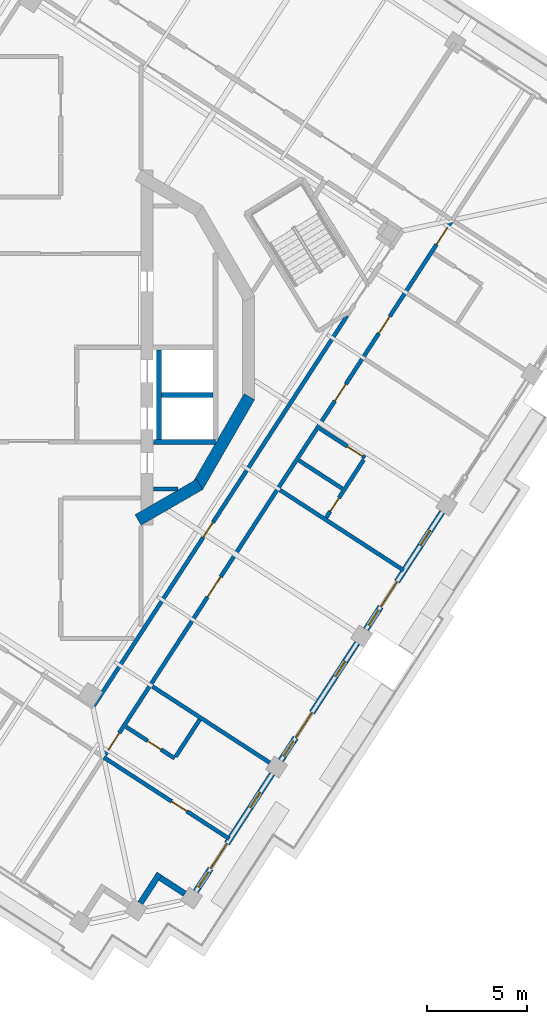
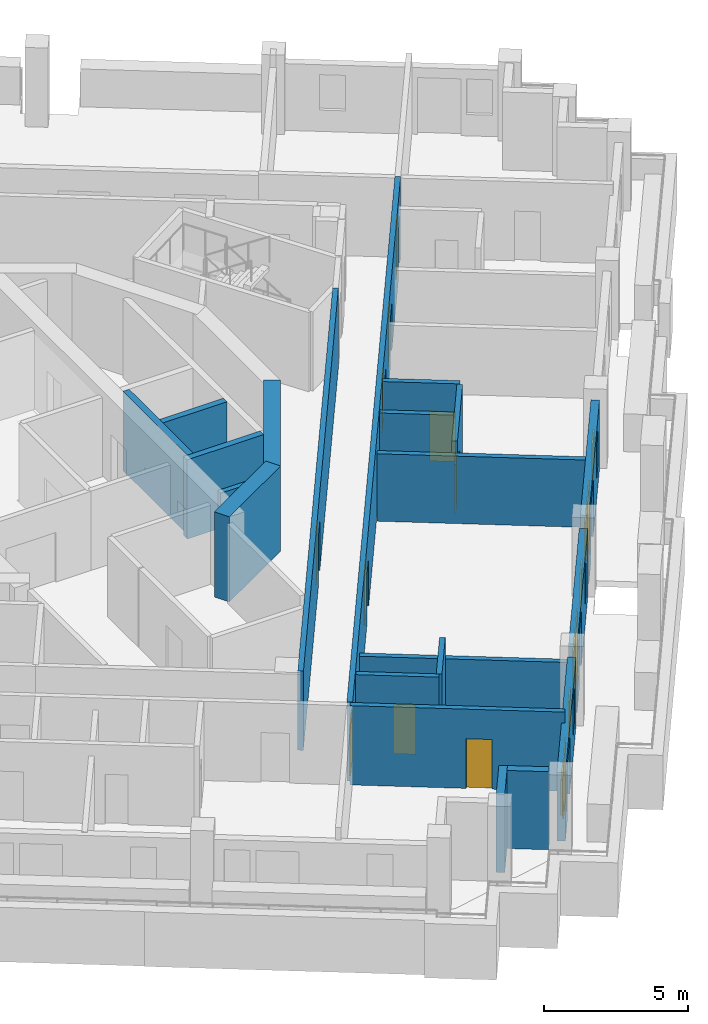
# One storey, part 6 of 15: 21 walls, 13 doors, 6 windows, 19 openings.
"""IFC4 building model written with IfcOpenShell, lengths in metres."""

from ifc_helpers import new_model, si_unit, direction, frame, frame_2d, origin, place, context, subcontext, project, spatial, rectangle, extrude, material, layer, layer_set, type_object, element, fill, save


model = new_model("IFC4")

# Units and contexts
model_context = context("Model", 3, precision=1e-05, world=origin(), true_north=direction((0.0, 1.0)))
body_context = subcontext(model_context, "Body", "Model", "MODEL_VIEW")
ifc_project = project(units=[si_unit("LENGTHUNIT", "METRE"), si_unit("AREAUNIT", "SQUARE_METRE"), si_unit("VOLUMEUNIT", "CUBIC_METRE"), si_unit("PLANEANGLEUNIT", "RADIAN"), si_unit("MASSUNIT", "GRAM", prefix="KILO")], contexts=[model_context])

# Site, building, storey
site_placement = place(None, origin())
site = spatial("IfcSite", under=ifc_project, at=site_placement, CompositionType="ELEMENT")
building_placement = place(site_placement, origin())
building = spatial("IfcBuilding", under=site, at=building_placement, Name="Cantera Rosa Tower", CompositionType="ELEMENT")
storey_placement = place(building_placement, frame((0.0, 0.0, 272.10009765625)))
storey = spatial("IfcBuildingStorey", under=building, at=storey_placement, Name="L61", CompositionType="ELEMENT", Elevation=272.10009765625)

# Wall, opening, door
ifc_material_1 = material(Name="Gypsum board partition")
ifc_layer_1 = layer(ifc_material_1, 0.199951171875)
ifc_layer_set_1 = layer_set([ifc_layer_1], Name="CORRIDOR WALL 200 H3350")
wall_type_1 = type_object("IfcWallType", Name="CORRIDOR WALL 200 H3350", PredefinedType="PARTITIONING", material=ifc_layer_set_1)
wall_1_placement = place(storey_placement, frame((1.656982421875, -17.828857421875, 0.0), z_axis=(0.0, 0.0, 1.0), x_axis=(0.544640309195, 0.838669740482, 0.0)))
wall_1 = element("IfcWall", 1, at=wall_1_placement, inside=storey, type_object=wall_type_1, Name="CORRIDOR WALL L61-063", PredefinedType="PARTITIONING", context=body_context, shape_type="SweptSolid", body=[
    extrude(rectangle(XDim=23.1552734375, YDim=0.199951171875, at=frame_2d((11.57763671875, 0.0))), origin(), (0.0, 0.0, 1.0), 3.349853515625),
])
opening_1_placement = place(wall_1_placement, frame((9.984619140625, 0.0, 0.0)))
opening_1 = element("IfcOpeningElement", 2, at=opening_1_placement, cuts=wall_1, Name="Opening L61-005", PredefinedType="OPENING", context=body_context, shape_type="SweptSolid", body=[
    extrude(rectangle(XDim=0.89990234375, YDim=2.10009765625, at=frame_2d((0.449951171875, 1.050048828125))), frame((0.0, 0.10986328125, 0.0), z_axis=(0.0, -1.0, 0.0), x_axis=(1.0, 0.0, 0.0)), (0.0, 0.0, 1.0), 0.219970703125),
])
ifc_material_2 = material(Name="Timber door leaf", Category="wood")
door_type_1 = type_object("IfcDoorType", Name="SERVICE DOOR 900x2100", OperationType="NOTDEFINED", PredefinedType="DOOR", material=ifc_material_2)
door_1_placement = place(opening_1_placement, origin())
door_1 = element("IfcDoor", 3, at=door_1_placement, inside=storey, type_object=door_type_1, Name="DOOR L61-005", OperationType="NOTDEFINED", OverallHeight=2.10009765625, OverallWidth=0.89990234375, PredefinedType="DOOR", context=body_context, shape_type="SweptSolid", body=[
    extrude(rectangle(XDim=0.89990234375, YDim=2.10009765625, at=frame_2d((0.449951171875, 1.050048828125))), frame((0.0, 0.02490234375, 0.0), z_axis=(0.0, -1.0, 0.0), x_axis=(1.0, 0.0, 0.0)), (0.0, 0.0, 1.0), 0.050048828125),
])
fill(opening_1, door_1)

# Wall, openings, doors
wall_2_placement = place(storey_placement, frame((2.197265625, -20.302001953125, 0.0), z_axis=(0.0, 0.0, 1.0), x_axis=(0.544636461061, 0.838672239485, 0.0)))
wall_2 = element("IfcWall", 4, at=wall_2_placement, inside=storey, type_object=wall_type_1, Name="CORRIDOR WALL L61-065", PredefinedType="PARTITIONING", context=body_context, shape_type="SweptSolid", body=[
    extrude(rectangle(XDim=31.780029296875, YDim=0.199951171875, at=frame_2d((15.89013671875, 0.0))), origin(), (0.0, 0.0, 1.0), 3.349853515625),
])
opening_2_placement = place(wall_2_placement, frame((9.39501953125, 0.0, 0.0)))
opening_2 = element("IfcOpeningElement", 5, at=opening_2_placement, cuts=wall_2, Name="Opening L61-040", PredefinedType="OPENING", context=body_context, shape_type="SweptSolid", body=[
    extrude(rectangle(XDim=1.199951171875, YDim=2.10009765625, at=frame_2d((0.60009765625, 1.050048828125))), frame((0.0, 0.10986328125, 0.0), z_axis=(0.0, -1.0, 0.0), x_axis=(1.0, 0.0, 0.0)), (0.0, 0.0, 1.0), 0.219970703125),
])
opening_3_placement = place(wall_2_placement, frame((21.044921875, 0.0, 0.0)))
opening_3 = element("IfcOpeningElement", 6, at=opening_3_placement, cuts=wall_2, Name="Opening L61-041", PredefinedType="OPENING", context=body_context, shape_type="SweptSolid", body=[
    extrude(rectangle(XDim=1.0, YDim=2.10009765625, at=frame_2d((0.5, 1.050048828125))), frame((0.0, 0.10986328125, 0.0), z_axis=(0.0, -1.0, 0.0), x_axis=(1.0, 0.0, 0.0)), (0.0, 0.0, 1.0), 0.219970703125),
])
opening_4_placement = place(wall_2_placement, frame((25.054931640625, 0.0, 0.0)))
opening_4 = element("IfcOpeningElement", 7, at=opening_4_placement, cuts=wall_2, Name="Opening L61-044", PredefinedType="OPENING", context=body_context, shape_type="SweptSolid", body=[
    extrude(rectangle(XDim=1.0, YDim=2.10009765625, at=frame_2d((0.5, 1.050048828125))), frame((0.0, 0.10986328125, 0.0), z_axis=(0.0, -1.0, 0.0), x_axis=(1.0, 0.0, 0.0)), (0.0, 0.0, 1.0), 0.219970703125),
])
opening_5_placement = place(wall_2_placement, frame((0.320068359375, 0.0, 0.0)))
opening_5 = element("IfcOpeningElement", 8, at=opening_5_placement, cuts=wall_2, Name="Opening L61-045", PredefinedType="OPENING", context=body_context, shape_type="SweptSolid", body=[
    extrude(rectangle(XDim=1.0, YDim=2.10009765625, at=frame_2d((0.5, 1.050048828125))), frame((0.0, 0.10986328125, 0.0), z_axis=(0.0, -1.0, 0.0), x_axis=(1.0, 0.0, 0.0)), (0.0, 0.0, 1.0), 0.219970703125),
])
opening_6_placement = place(wall_2_placement, frame((30.340087890625, 0.0, 0.0)))
opening_6 = element("IfcOpeningElement", 9, at=opening_6_placement, cuts=wall_2, Name="Opening L61-048", PredefinedType="OPENING", context=body_context, shape_type="SweptSolid", body=[
    extrude(rectangle(XDim=1.0, YDim=2.10009765625, at=frame_2d((0.5, 1.050048828125))), frame((0.0, 0.10986328125, 0.0), z_axis=(0.0, -1.0, 0.0), x_axis=(1.0, 0.0, 0.0)), (0.0, 0.0, 1.0), 0.219970703125),
])
ifc_material_3 = material(Name="Timber door leaf", Category="wood")
door_type_2 = type_object("IfcDoorType", Name="ENTRANCE DOOR 1000x2100", OperationType="NOTDEFINED", PredefinedType="DOOR", material=ifc_material_3)
door_2_placement = place(opening_3_placement, origin())
door_2 = element("IfcDoor", 10, at=door_2_placement, inside=storey, type_object=door_type_2, Name="DOOR L61-041", OperationType="NOTDEFINED", OverallHeight=2.10009765625, OverallWidth=1.0, PredefinedType="DOOR", context=body_context, shape_type="SweptSolid", body=[
    extrude(rectangle(XDim=1.0, YDim=2.10009765625, at=frame_2d((0.5, 1.050048828125))), frame((0.0, 0.02490234375, 0.0), z_axis=(0.0, -1.0, 0.0), x_axis=(1.0, 0.0, 0.0)), (0.0, 0.0, 1.0), 0.050048828125),
])
fill(opening_3, door_2)
door_3_placement = place(opening_5_placement, origin())
door_3 = element("IfcDoor", 11, at=door_3_placement, inside=storey, type_object=door_type_2, Name="DOOR L61-045", OperationType="NOTDEFINED", OverallHeight=2.10009765625, OverallWidth=1.0, PredefinedType="DOOR", context=body_context, shape_type="SweptSolid", body=[
    extrude(rectangle(XDim=1.0, YDim=2.10009765625, at=frame_2d((0.5, 1.050048828125))), frame((0.0, 0.02490234375, 0.0), z_axis=(0.0, -1.0, 0.0), x_axis=(1.0, 0.0, 0.0)), (0.0, 0.0, 1.0), 0.050048828125),
])
fill(opening_5, door_3)
door_4_placement = place(opening_6_placement, origin())
door_4 = element("IfcDoor", 12, at=door_4_placement, inside=storey, type_object=door_type_2, Name="DOOR L61-048", OperationType="NOTDEFINED", OverallHeight=2.10009765625, OverallWidth=1.0, PredefinedType="DOOR", context=body_context, shape_type="SweptSolid", body=[
    extrude(rectangle(XDim=1.0, YDim=2.10009765625, at=frame_2d((0.5, 1.050048828125))), frame((0.0, 0.02490234375, 0.0), z_axis=(0.0, -1.0, 0.0), x_axis=(1.0, 0.0, 0.0)), (0.0, 0.0, 1.0), 0.050048828125),
])
fill(opening_6, door_4)
ifc_material_4 = material(Name="Timber door leaf", Category="wood")
door_type_3 = type_object("IfcDoorType", Name="ROOM DOOR 1000x2100", OperationType="NOTDEFINED", PredefinedType="DOOR", material=ifc_material_4)
door_5_placement = place(opening_4_placement, origin())
door_5 = element("IfcDoor", 13, at=door_5_placement, inside=storey, type_object=door_type_3, Name="DOOR L61-044", OperationType="NOTDEFINED", OverallHeight=2.10009765625, OverallWidth=1.0, PredefinedType="DOOR", context=body_context, shape_type="SweptSolid", body=[
    extrude(rectangle(XDim=1.0, YDim=2.10009765625, at=frame_2d((0.5, 1.050048828125))), frame((0.0, 0.02490234375, 0.0), z_axis=(0.0, -1.0, 0.0), x_axis=(1.0, 0.0, 0.0)), (0.0, 0.0, 1.0), 0.050048828125),
])
fill(opening_4, door_5)
ifc_material_5 = material(Name="Timber door leaf", Category="wood")
door_type_4 = type_object("IfcDoorType", Name="ROOM DOOR 1200x2100", OperationType="NOTDEFINED", PredefinedType="DOOR", material=ifc_material_5)
door_6_placement = place(opening_2_placement, origin())
door_6 = element("IfcDoor", 14, at=door_6_placement, inside=storey, type_object=door_type_4, Name="DOOR L61-040", OperationType="NOTDEFINED", OverallHeight=2.10009765625, OverallWidth=1.199951171875, PredefinedType="DOOR", context=body_context, shape_type="SweptSolid", body=[
    extrude(rectangle(XDim=1.199951171875, YDim=2.10009765625, at=frame_2d((0.60009765625, 1.050048828125))), frame((0.0, 0.02490234375, 0.0), z_axis=(0.0, -1.0, 0.0), x_axis=(1.0, 0.0, 0.0)), (0.0, 0.0, 1.0), 0.050048828125),
])
fill(opening_2, door_6)

# Walls
ifc_material_6 = material(Name="Hollow clay masonry with cantera stone cladding", Category="masonry")
ifc_layer_2 = layer(ifc_material_6, 0.300048828125)
ifc_layer_set_2 = layer_set([ifc_layer_2], Name="EW-LOGGIA 300")
wall_type_2 = type_object("IfcWallType", Name="EW-LOGGIA 300", PredefinedType="SOLIDWALL", material=ifc_layer_set_2)
wall_3_placement = place(storey_placement, frame((3.966796875, -27.67529296875, 0.0), z_axis=(0.0, 0.0, 1.0), x_axis=(0.544679362749, 0.83864437743, 0.0)))
element("IfcWall", 15, at=wall_3_placement, inside=storey, type_object=wall_type_2, Name="EN-L61-W19a", PredefinedType="SOLIDWALL", context=body_context, shape_type="SweptSolid", body=[
    extrude(rectangle(XDim=1.75, YDim=0.300048828125, at=frame_2d((0.875, 0.0))), origin(), (0.0, 0.0, 1.0), 3.2998046875),
])
wall_4_placement = place(storey_placement, frame((4.964111328125, -26.415283203125, 0.0), z_axis=(0.0, 0.0, 1.0), x_axis=(0.838724343483, -0.544556218997, 0.0)))
element("IfcWall", 16, at=wall_4_placement, inside=storey, type_object=wall_type_2, Name="EN-L61-W19b", PredefinedType="SOLIDWALL", context=body_context, shape_type="SweptSolid", body=[
    extrude(rectangle(XDim=1.449951171875, YDim=0.300048828125, at=frame_2d((0.72509765625, 0.0))), origin(), (0.0, 0.0, 1.0), 3.2998046875),
])

# Wall, openings, windows, door
ifc_material_7 = material(Name="Hollow clay masonry with cantera stone cladding", Category="masonry")
ifc_layer_3 = layer(ifc_material_7, 0.300048828125)
ifc_layer_set_3 = layer_set([ifc_layer_3], Name="EW-LOGGIA 300 H2890")
wall_type_3 = type_object("IfcWallType", Name="EW-LOGGIA 300 H2890", PredefinedType="SOLIDWALL", material=ifc_layer_set_3)
wall_5_placement = place(storey_placement, frame((6.7333984375, -27.08740234375, 0.0), z_axis=(0.0, 0.0, 1.0), x_axis=(0.544651451949, 0.838662504164, 0.0)))
wall_5 = element("IfcWall", 17, at=wall_5_placement, inside=storey, type_object=wall_type_3, Name="EN-L61-W20", PredefinedType="SOLIDWALL", context=body_context, shape_type="SweptSolid", body=[
    extrude(rectangle(XDim=6.980224609375, YDim=0.300048828125, at=frame_2d((3.490234375, 0.0))), origin(), (0.0, 0.0, 1.0), 2.889892578125),
])
opening_7_placement = place(wall_5_placement, frame((0.2451171875, 0.0, 0.89990234375)))
opening_7 = element("IfcOpeningElement", 18, at=opening_7_placement, cuts=wall_5, Name="Opening L61-W34", PredefinedType="OPENING", context=body_context, shape_type="SweptSolid", body=[
    extrude(rectangle(XDim=0.89990234375, YDim=1.5, at=frame_2d((0.449951171875, 0.75))), frame((0.0, 0.159912109375, 0.0), z_axis=(0.0, -1.0, 0.0), x_axis=(1.0, 0.0, 0.0)), (0.0, 0.0, 1.0), 0.320068359375),
])
opening_8_placement = place(wall_5_placement, frame((1.344970703125, 0.0, 0.0)))
opening_8 = element("IfcOpeningElement", 19, at=opening_8_placement, cuts=wall_5, Name="Opening L61-TD35", PredefinedType="OPENING", context=body_context, shape_type="SweptSolid", body=[
    extrude(rectangle(XDim=1.5, YDim=2.39990234375, at=frame_2d((0.75, 1.199951171875))), frame((0.0, 0.159912109375, 0.0), z_axis=(0.0, -1.0, 0.0), x_axis=(1.0, 0.0, 0.0)), (0.0, 0.0, 1.0), 0.320068359375),
])
opening_9_placement = place(wall_5_placement, frame((4.985107421875, 0.0, 0.89990234375)))
opening_9 = element("IfcOpeningElement", 20, at=opening_9_placement, cuts=wall_5, Name="Opening L61-W36", PredefinedType="OPENING", context=body_context, shape_type="SweptSolid", body=[
    extrude(rectangle(XDim=0.89990234375, YDim=1.5, at=frame_2d((0.449951171875, 0.75))), frame((0.0, 0.159912109375, 0.0), z_axis=(0.0, -1.0, 0.0), x_axis=(1.0, 0.0, 0.0)), (0.0, 0.0, 1.0), 0.320068359375),
])
ifc_material_8 = material(Name="Aluminium frame with clear glass", Category="aluminium")
window_type = type_object("IfcWindowType", Name="Residential window 900x1500", PartitioningType="SINGLE_PANEL", PredefinedType="WINDOW", material=ifc_material_8)
window_1_placement = place(opening_7_placement, origin())
window_1 = element("IfcWindow", 21, at=window_1_placement, inside=storey, type_object=window_type, Name="WINDOW L61-W34", OverallHeight=1.5, OverallWidth=0.89990234375, PartitioningType="SINGLE_PANEL", PredefinedType="WINDOW", context=body_context, shape_type="SweptSolid", body=[
    extrude(rectangle(XDim=0.89990234375, YDim=1.5, at=frame_2d((0.449951171875, 0.75))), frame((0.0, 0.030029296875, 0.0), z_axis=(0.0, -1.0, 0.0), x_axis=(1.0, 0.0, 0.0)), (0.0, 0.0, 1.0), 0.06005859375),
])
fill(opening_7, window_1)
window_2_placement = place(opening_9_placement, origin())
window_2 = element("IfcWindow", 22, at=window_2_placement, inside=storey, type_object=window_type, Name="WINDOW L61-W36", OverallHeight=1.5, OverallWidth=0.89990234375, PartitioningType="SINGLE_PANEL", PredefinedType="WINDOW", context=body_context, shape_type="SweptSolid", body=[
    extrude(rectangle(XDim=0.89990234375, YDim=1.5, at=frame_2d((0.449951171875, 0.75))), frame((0.0, 0.030029296875, 0.0), z_axis=(0.0, -1.0, 0.0), x_axis=(1.0, 0.0, 0.0)), (0.0, 0.0, 1.0), 0.06005859375),
])
fill(opening_9, window_2)
ifc_material_9 = material(Name="Aluminium frame with clear glass", Category="aluminium")
door_type_5 = type_object("IfcDoorType", Name="TD-R 1500x2400", OperationType="NOTDEFINED", PredefinedType="DOOR", material=ifc_material_9)
door_7_placement = place(opening_8_placement, origin())
door_7 = element("IfcDoor", 23, at=door_7_placement, inside=storey, type_object=door_type_5, Name="LOGGIA DOOR L61-TD35", OperationType="SLIDING_TO_LEFT", OverallHeight=2.39990234375, OverallWidth=1.5, PredefinedType="DOOR", context=body_context, shape_type="SweptSolid", body=[
    extrude(rectangle(XDim=1.5, YDim=2.39990234375, at=frame_2d((0.75, 1.199951171875))), frame((0.0, 0.02490234375, 0.0), z_axis=(0.0, -1.0, 0.0), x_axis=(1.0, 0.0, 0.0)), (0.0, 0.0, 1.0), 0.050048828125),
])
fill(opening_8, door_7)

wall_6_placement = place(storey_placement, frame((10.970703125, -20.5625, 0.0), z_axis=(0.0, 0.0, 1.0), x_axis=(0.544651451949, 0.838662504164, 0.0)))
wall_6 = element("IfcWall", 24, at=wall_6_placement, inside=storey, type_object=wall_type_3, Name="EN-L61-W21", PredefinedType="SOLIDWALL", context=body_context, shape_type="SweptSolid", body=[
    extrude(rectangle(XDim=6.980224609375, YDim=0.300048828125, at=frame_2d((3.490234375, 0.0))), origin(), (0.0, 0.0, 1.0), 2.889892578125),
])
opening_10_placement = place(wall_6_placement, frame((0.2451171875, 0.0, 0.89990234375)))
opening_10 = element("IfcOpeningElement", 25, at=opening_10_placement, cuts=wall_6, Name="Opening L61-W37", PredefinedType="OPENING", context=body_context, shape_type="SweptSolid", body=[
    extrude(rectangle(XDim=0.89990234375, YDim=1.5, at=frame_2d((0.449951171875, 0.75))), frame((0.0, 0.159912109375, 0.0), z_axis=(0.0, -1.0, 0.0), x_axis=(1.0, 0.0, 0.0)), (0.0, 0.0, 1.0), 0.320068359375),
])
opening_11_placement = place(wall_6_placement, frame((1.344970703125, 0.0, 0.0)))
opening_11 = element("IfcOpeningElement", 26, at=opening_11_placement, cuts=wall_6, Name="Opening L61-TD38", PredefinedType="OPENING", context=body_context, shape_type="SweptSolid", body=[
    extrude(rectangle(XDim=1.5, YDim=2.39990234375, at=frame_2d((0.75, 1.199951171875))), frame((0.0, 0.159912109375, 0.0), z_axis=(0.0, -1.0, 0.0), x_axis=(1.0, 0.0, 0.0)), (0.0, 0.0, 1.0), 0.320068359375),
])
opening_12_placement = place(wall_6_placement, frame((4.985107421875, 0.0, 0.89990234375)))
opening_12 = element("IfcOpeningElement", 27, at=opening_12_placement, cuts=wall_6, Name="Opening L61-W39", PredefinedType="OPENING", context=body_context, shape_type="SweptSolid", body=[
    extrude(rectangle(XDim=0.89990234375, YDim=1.5, at=frame_2d((0.449951171875, 0.75))), frame((0.0, 0.159912109375, 0.0), z_axis=(0.0, -1.0, 0.0), x_axis=(1.0, 0.0, 0.0)), (0.0, 0.0, 1.0), 0.320068359375),
])
window_3_placement = place(opening_10_placement, origin())
window_3 = element("IfcWindow", 28, at=window_3_placement, inside=storey, type_object=window_type, Name="WINDOW L61-W37", OverallHeight=1.5, OverallWidth=0.89990234375, PartitioningType="SINGLE_PANEL", PredefinedType="WINDOW", context=body_context, shape_type="SweptSolid", body=[
    extrude(rectangle(XDim=0.89990234375, YDim=1.5, at=frame_2d((0.449951171875, 0.75))), frame((0.0, 0.030029296875, 0.0), z_axis=(0.0, -1.0, 0.0), x_axis=(1.0, 0.0, 0.0)), (0.0, 0.0, 1.0), 0.06005859375),
])
fill(opening_10, window_3)
window_4_placement = place(opening_12_placement, origin())
window_4 = element("IfcWindow", 29, at=window_4_placement, inside=storey, type_object=window_type, Name="WINDOW L61-W39", OverallHeight=1.5, OverallWidth=0.89990234375, PartitioningType="SINGLE_PANEL", PredefinedType="WINDOW", context=body_context, shape_type="SweptSolid", body=[
    extrude(rectangle(XDim=0.89990234375, YDim=1.5, at=frame_2d((0.449951171875, 0.75))), frame((0.0, 0.030029296875, 0.0), z_axis=(0.0, -1.0, 0.0), x_axis=(1.0, 0.0, 0.0)), (0.0, 0.0, 1.0), 0.06005859375),
])
fill(opening_12, window_4)
door_8_placement = place(opening_11_placement, origin())
door_8 = element("IfcDoor", 30, at=door_8_placement, inside=storey, type_object=door_type_5, Name="LOGGIA DOOR L61-TD38", OperationType="SLIDING_TO_LEFT", OverallHeight=2.39990234375, OverallWidth=1.5, PredefinedType="DOOR", context=body_context, shape_type="SweptSolid", body=[
    extrude(rectangle(XDim=1.5, YDim=2.39990234375, at=frame_2d((0.75, 1.199951171875))), frame((0.0, 0.02490234375, 0.0), z_axis=(0.0, -1.0, 0.0), x_axis=(1.0, 0.0, 0.0)), (0.0, 0.0, 1.0), 0.050048828125),
])
fill(opening_11, door_8)

wall_7_placement = place(storey_placement, frame((15.2080078125, -14.03759765625, 0.0), z_axis=(0.0, 0.0, 1.0), x_axis=(0.544651451949, 0.838662504164, 0.0)))
wall_7 = element("IfcWall", 31, at=wall_7_placement, inside=storey, type_object=wall_type_3, Name="EN-L61-W22", PredefinedType="SOLIDWALL", context=body_context, shape_type="SweptSolid", body=[
    extrude(rectangle(XDim=6.980224609375, YDim=0.300048828125, at=frame_2d((3.490234375, 0.0))), origin(), (0.0, 0.0, 1.0), 2.889892578125),
])
opening_13_placement = place(wall_7_placement, frame((0.2451171875, 0.0, 0.89990234375)))
opening_13 = element("IfcOpeningElement", 32, at=opening_13_placement, cuts=wall_7, Name="Opening L61-W40", PredefinedType="OPENING", context=body_context, shape_type="SweptSolid", body=[
    extrude(rectangle(XDim=0.89990234375, YDim=1.5, at=frame_2d((0.449951171875, 0.75))), frame((0.0, 0.159912109375, 0.0), z_axis=(0.0, -1.0, 0.0), x_axis=(1.0, 0.0, 0.0)), (0.0, 0.0, 1.0), 0.320068359375),
])
opening_14_placement = place(wall_7_placement, frame((1.344970703125, 0.0, 0.0)))
opening_14 = element("IfcOpeningElement", 33, at=opening_14_placement, cuts=wall_7, Name="Opening L61-TD41", PredefinedType="OPENING", context=body_context, shape_type="SweptSolid", body=[
    extrude(rectangle(XDim=1.5, YDim=2.39990234375, at=frame_2d((0.75, 1.199951171875))), frame((0.0, 0.159912109375, 0.0), z_axis=(0.0, -1.0, 0.0), x_axis=(1.0, 0.0, 0.0)), (0.0, 0.0, 1.0), 0.320068359375),
])
opening_15_placement = place(wall_7_placement, frame((4.985107421875, 0.0, 0.89990234375)))
opening_15 = element("IfcOpeningElement", 34, at=opening_15_placement, cuts=wall_7, Name="Opening L61-W42", PredefinedType="OPENING", context=body_context, shape_type="SweptSolid", body=[
    extrude(rectangle(XDim=0.89990234375, YDim=1.5, at=frame_2d((0.449951171875, 0.75))), frame((0.0, 0.159912109375, 0.0), z_axis=(0.0, -1.0, 0.0), x_axis=(1.0, 0.0, 0.0)), (0.0, 0.0, 1.0), 0.320068359375),
])
window_5_placement = place(opening_13_placement, origin())
window_5 = element("IfcWindow", 35, at=window_5_placement, inside=storey, type_object=window_type, Name="WINDOW L61-W40", OverallHeight=1.5, OverallWidth=0.89990234375, PartitioningType="SINGLE_PANEL", PredefinedType="WINDOW", context=body_context, shape_type="SweptSolid", body=[
    extrude(rectangle(XDim=0.89990234375, YDim=1.5, at=frame_2d((0.449951171875, 0.75))), frame((0.0, 0.030029296875, 0.0), z_axis=(0.0, -1.0, 0.0), x_axis=(1.0, 0.0, 0.0)), (0.0, 0.0, 1.0), 0.06005859375),
])
fill(opening_13, window_5)
window_6_placement = place(opening_15_placement, origin())
window_6 = element("IfcWindow", 36, at=window_6_placement, inside=storey, type_object=window_type, Name="WINDOW L61-W42", OverallHeight=1.5, OverallWidth=0.89990234375, PartitioningType="SINGLE_PANEL", PredefinedType="WINDOW", context=body_context, shape_type="SweptSolid", body=[
    extrude(rectangle(XDim=0.89990234375, YDim=1.5, at=frame_2d((0.449951171875, 0.75))), frame((0.0, 0.030029296875, 0.0), z_axis=(0.0, -1.0, 0.0), x_axis=(1.0, 0.0, 0.0)), (0.0, 0.0, 1.0), 0.06005859375),
])
fill(opening_15, window_6)
door_9_placement = place(opening_14_placement, origin())
door_9 = element("IfcDoor", 37, at=door_9_placement, inside=storey, type_object=door_type_5, Name="LOGGIA DOOR L61-TD41", OperationType="SLIDING_TO_LEFT", OverallHeight=2.39990234375, OverallWidth=1.5, PredefinedType="DOOR", context=body_context, shape_type="SweptSolid", body=[
    extrude(rectangle(XDim=1.5, YDim=2.39990234375, at=frame_2d((0.75, 1.199951171875))), frame((0.0, 0.02490234375, 0.0), z_axis=(0.0, -1.0, 0.0), x_axis=(1.0, 0.0, 0.0)), (0.0, 0.0, 1.0), 0.050048828125),
])
fill(opening_14, door_9)

# Wall, opening, door
ifc_material_10 = material(Name="Gypsum board partition")
ifc_layer_4 = layer(ifc_material_10, 0.199951171875)
ifc_layer_set_4 = layer_set([ifc_layer_4], Name="PARTITION 200 H3350")
wall_type_4 = type_object("IfcWallType", Name="PARTITION 200 H3350", PredefinedType="PARTITIONING", material=ifc_layer_set_4)
wall_8_placement = place(storey_placement, frame((2.148681640625, -20.41357421875, 0.0), z_axis=(0.0, 0.0, 1.0), x_axis=(0.83866516607, -0.544647353083, 0.0)))
wall_8 = element("IfcWall", 38, at=wall_8_placement, inside=storey, type_object=wall_type_4, Name="PARTITION L61-064", PredefinedType="PARTITIONING", context=body_context, shape_type="SweptSolid", body=[
    extrude(rectangle(XDim=7.449951171875, YDim=0.199951171875, at=frame_2d((3.72509765625, 0.0))), origin(), (0.0, 0.0, 1.0), 3.349853515625),
])
opening_16_placement = place(wall_8_placement, frame((4.030029296875, 0.0, 0.0)))
opening_16 = element("IfcOpeningElement", 39, at=opening_16_placement, cuts=wall_8, Name="Opening L61-047", PredefinedType="OPENING", context=body_context, shape_type="SweptSolid", body=[
    extrude(rectangle(XDim=0.89990234375, YDim=2.10009765625, at=frame_2d((0.449951171875, 1.050048828125))), frame((0.0, 0.10986328125, 0.0), z_axis=(0.0, -1.0, 0.0), x_axis=(1.0, 0.0, 0.0)), (0.0, 0.0, 1.0), 0.219970703125),
])
ifc_material_11 = material(Name="Timber door leaf", Category="wood")
door_type_6 = type_object("IfcDoorType", Name="ROOM DOOR 900x2100", OperationType="NOTDEFINED", PredefinedType="DOOR", material=ifc_material_11)
door_10_placement = place(opening_16_placement, origin())
door_10 = element("IfcDoor", 40, at=door_10_placement, inside=storey, type_object=door_type_6, Name="DOOR L61-047", OperationType="NOTDEFINED", OverallHeight=2.10009765625, OverallWidth=0.89990234375, PredefinedType="DOOR", context=body_context, shape_type="SweptSolid", body=[
    extrude(rectangle(XDim=0.89990234375, YDim=2.10009765625, at=frame_2d((0.449951171875, 1.050048828125))), frame((0.0, 0.02490234375, 0.0), z_axis=(0.0, -1.0, 0.0), x_axis=(1.0, 0.0, 0.0)), (0.0, 0.0, 1.0), 0.050048828125),
])
fill(opening_16, door_10)

wall_9_placement = place(storey_placement, frame((5.671875, -20.4599609375, 0.0), z_axis=(0.0, 0.0, 1.0), x_axis=(-0.838679811106, 0.544624801532, 0.0)))
wall_9 = element("IfcWall", 41, at=wall_9_placement, inside=storey, type_object=wall_type_4, Name="PARTITION L61-073", PredefinedType="PARTITIONING", context=body_context, shape_type="SweptSolid", body=[
    extrude(rectangle(XDim=2.880126953125, YDim=0.199951171875, at=frame_2d((1.43994140625, 0.0))), origin(), (0.0, 0.0, 1.0), 3.349853515625),
])
opening_17_placement = place(wall_9_placement, frame((0.800048828125, 0.0, 0.0)))
opening_17 = element("IfcOpeningElement", 42, at=opening_17_placement, cuts=wall_9, Name="Opening L61-046", PredefinedType="OPENING", context=body_context, shape_type="SweptSolid", body=[
    extrude(rectangle(XDim=0.800048828125, YDim=2.10009765625, at=frame_2d((0.39990234375, 1.050048828125))), frame((0.0, 0.10986328125, 0.0), z_axis=(0.0, -1.0, 0.0), x_axis=(1.0, 0.0, 0.0)), (0.0, 0.0, 1.0), 0.219970703125),
])
ifc_material_12 = material(Name="Timber door leaf", Category="wood")
door_type_7 = type_object("IfcDoorType", Name="BATHROOM DOOR 800x2100", OperationType="NOTDEFINED", PredefinedType="DOOR", material=ifc_material_12)
door_11_placement = place(opening_17_placement, origin())
door_11 = element("IfcDoor", 43, at=door_11_placement, inside=storey, type_object=door_type_7, Name="DOOR L61-046", OperationType="NOTDEFINED", OverallHeight=2.10009765625, OverallWidth=0.800048828125, PredefinedType="DOOR", context=body_context, shape_type="SweptSolid", body=[
    extrude(rectangle(XDim=0.800048828125, YDim=2.10009765625, at=frame_2d((0.39990234375, 1.050048828125))), frame((0.0, 0.02490234375, 0.0), z_axis=(0.0, -1.0, 0.0), x_axis=(1.0, 0.0, 0.0)), (0.0, 0.0, 1.0), 0.050048828125),
])
fill(opening_17, door_11)

# Walls
wall_10_placement = place(storey_placement, frame((5.84765625, -7.050048828125, 0.0), z_axis=(0.0, 0.0, 1.0), x_axis=(-1.0, 0.0, 0.0)))
element("IfcWall", 44, at=wall_10_placement, inside=storey, type_object=wall_type_4, Name="PARTITION L61-074", PredefinedType="PARTITIONING", context=body_context, shape_type="SweptSolid", body=[
    extrude(rectangle(XDim=1.2177734375, YDim=0.199951171875, at=frame_2d((0.60888671875, 0.0))), origin(), (0.0, 0.0, 1.0), 3.349853515625),
])
wall_11_placement = place(storey_placement, frame((6.924560546875, -18.531005859375, 0.0), z_axis=(0.0, 0.0, 1.0), x_axis=(-0.544672350866, -0.838648931438, 0.0)))
element("IfcWall", 45, at=wall_11_placement, inside=storey, type_object=wall_type_4, Name="PARTITION L61-076", PredefinedType="PARTITIONING", context=body_context, shape_type="SweptSolid", body=[
    extrude(rectangle(XDim=2.199951171875, YDim=0.199951171875, at=frame_2d((1.10009765625, 0.0))), origin(), (0.0, 0.0, 1.0), 3.349853515625),
])
wall_12_placement = place(storey_placement, frame((11.87255859375, -5.62353515625, 0.0), z_axis=(0.0, 0.0, 1.0), x_axis=(0.838665792468, -0.544646388536, 0.0)))
element("IfcWall", 46, at=wall_12_placement, inside=storey, type_object=wall_type_4, Name="PARTITION L61-084", PredefinedType="PARTITIONING", context=body_context, shape_type="SweptSolid", body=[
    extrude(rectangle(XDim=2.56005859375, YDim=0.199951171875, at=frame_2d((1.280029296875, 0.0))), origin(), (0.0, 0.0, 1.0), 3.349853515625),
])

# Wall, opening, door
wall_13_placement = place(storey_placement, frame((12.907470703125, -4.030029296875, 0.0), z_axis=(0.0, 0.0, 1.0), x_axis=(0.838647527281, -0.544674512884, 0.0)))
wall_13 = element("IfcWall", 47, at=wall_13_placement, inside=storey, type_object=wall_type_4, Name="PARTITION L61-087", PredefinedType="PARTITIONING", context=body_context, shape_type="SweptSolid", body=[
    extrude(rectangle(XDim=2.679931640625, YDim=0.199951171875, at=frame_2d((1.33984375, 0.0))), origin(), (0.0, 0.0, 1.0), 3.349853515625),
])
opening_18_placement = place(wall_13_placement, frame((1.6298828125, 0.0, 0.0)))
opening_18 = element("IfcOpeningElement", 48, at=opening_18_placement, cuts=wall_13, Name="Opening L61-043", PredefinedType="OPENING", context=body_context, shape_type="SweptSolid", body=[
    extrude(rectangle(XDim=0.89990234375, YDim=2.10009765625, at=frame_2d((0.449951171875, 1.050048828125))), frame((0.0, 0.10986328125, 0.0), z_axis=(0.0, -1.0, 0.0), x_axis=(1.0, 0.0, 0.0)), (0.0, 0.0, 1.0), 0.219970703125),
])
door_12_placement = place(opening_18_placement, origin())
door_12 = element("IfcDoor", 49, at=door_12_placement, inside=storey, type_object=door_type_6, Name="DOOR L61-043", OperationType="NOTDEFINED", OverallHeight=2.10009765625, OverallWidth=0.89990234375, PredefinedType="DOOR", context=body_context, shape_type="SweptSolid", body=[
    extrude(rectangle(XDim=0.89990234375, YDim=2.10009765625, at=frame_2d((0.449951171875, 1.050048828125))), frame((0.0, 0.02490234375, 0.0), z_axis=(0.0, -1.0, 0.0), x_axis=(1.0, 0.0, 0.0)), (0.0, 0.0, 1.0), 0.050048828125),
])
fill(opening_18, door_12)

wall_14_placement = place(storey_placement, frame((15.089599609375, -5.59033203125, 0.0), z_axis=(0.0, 0.0, 1.0), x_axis=(-0.544590487493, -0.838702093077, 0.0)))
wall_14 = element("IfcWall", 50, at=wall_14_placement, inside=storey, type_object=wall_type_4, Name="PARTITION L61-092", PredefinedType="PARTITIONING", context=body_context, shape_type="SweptSolid", body=[
    extrude(rectangle(XDim=3.429931640625, YDim=0.199951171875, at=frame_2d((1.71484375, 0.0))), origin(), (0.0, 0.0, 1.0), 3.349853515625),
])
opening_19_placement = place(wall_14_placement, frame((2.2548828125, 0.0, 0.0)))
opening_19 = element("IfcOpeningElement", 51, at=opening_19_placement, cuts=wall_14, Name="Opening L61-042", PredefinedType="OPENING", context=body_context, shape_type="SweptSolid", body=[
    extrude(rectangle(XDim=0.800048828125, YDim=2.10009765625, at=frame_2d((0.39990234375, 1.050048828125))), frame((0.0, 0.10986328125, 0.0), z_axis=(0.0, -1.0, 0.0), x_axis=(1.0, 0.0, 0.0)), (0.0, 0.0, 1.0), 0.219970703125),
])
door_13_placement = place(opening_19_placement, origin())
door_13 = element("IfcDoor", 52, at=door_13_placement, inside=storey, type_object=door_type_7, Name="DOOR L61-042", OperationType="NOTDEFINED", OverallHeight=2.10009765625, OverallWidth=0.800048828125, PredefinedType="DOOR", context=body_context, shape_type="SweptSolid", body=[
    extrude(rectangle(XDim=0.800048828125, YDim=2.10009765625, at=frame_2d((0.39990234375, 1.050048828125))), frame((0.0, 0.02490234375, 0.0), z_axis=(0.0, -1.0, 0.0), x_axis=(1.0, 0.0, 0.0)), (0.0, 0.0, 1.0), 0.050048828125),
])
fill(opening_19, door_13)

# Walls
ifc_material_13 = material(Name="Gypsum board partition")
ifc_layer_5 = layer(ifc_material_13, 0.199951171875)
ifc_layer_set_5 = layer_set([ifc_layer_5], Name="PARTY WALL 200 H2450")
wall_type_5 = type_object("IfcWallType", Name="PARTY WALL 200 H2450", PredefinedType="PARTITIONING", material=ifc_layer_set_5)
wall_15_placement = place(storey_placement, frame((10.727783203125, -20.881591796875, 0.0), z_axis=(0.0, 0.0, 1.0), x_axis=(-0.838659080818, 0.544656723232, 0.0)))
element("IfcWall", 53, at=wall_15_placement, inside=storey, type_object=wall_type_5, Name="PARTY WALL L61-082", PredefinedType="PARTITIONING", context=body_context, shape_type="SweptSolid", body=[
    extrude(rectangle(XDim=7.349853515625, YDim=0.199951171875, at=frame_2d((3.6748046875, 0.0))), origin(), (0.0, 0.0, 1.0), 2.449951171875),
])
ifc_material_14 = material(Name="Gypsum board partition")
ifc_layer_6 = layer(ifc_material_14, 0.199951171875)
ifc_layer_set_6 = layer_set([ifc_layer_6], Name="PARTY WALL 200 H2850")
wall_type_6 = type_object("IfcWallType", Name="PARTY WALL 200 H2850", PredefinedType="PARTITIONING", material=ifc_layer_set_6)
wall_16_placement = place(storey_placement, frame((10.91943359375, -7.09130859375, 0.0), z_axis=(0.0, 0.0, 1.0), x_axis=(0.838684106336, -0.544618187155, 0.0)))
element("IfcWall", 54, at=wall_16_placement, inside=storey, type_object=wall_type_6, Name="PARTY WALL L61-083", PredefinedType="PARTITIONING", context=body_context, shape_type="SweptSolid", body=[
    extrude(rectangle(XDim=7.349853515625, YDim=0.199951171875, at=frame_2d((3.6748046875, 0.0))), origin(), (0.0, 0.0, 1.0), 2.849853515625),
])
ifc_material_15 = material(Name="Concrete C50/60", Category="concrete")
ifc_layer_7 = layer(ifc_material_15, 0.60009765625)
ifc_layer_set_7 = layer_set([ifc_layer_7], Name="RC CORE WALL 600 C50/60")
wall_type_7 = type_object("IfcWallType", Name="RC CORE WALL 600 C50/60", PredefinedType="SHEAR", material=ifc_layer_set_7)
wall_17_placement = place(storey_placement, frame((9.3994140625, -2.438232421875, 0.0), z_axis=(0.0, 0.0, 1.0), x_axis=(-0.499989188378, -0.866031645787, 0.0)))
element("IfcWall", 55, at=wall_17_placement, inside=storey, type_object=wall_type_7, Name="CW-E4 L61", PredefinedType="SHEAR", context=body_context, shape_type="SweptSolid", body=[
    extrude(rectangle(XDim=5.17626953125, YDim=0.60009765625, at=frame_2d((2.588134765625, 0.0))), origin(), (0.0, 0.0, 1.0), 3.599853515625),
])
wall_18_placement = place(storey_placement, frame((6.921142578125, -6.811279296875, 0.0), z_axis=(0.0, 0.0, 1.0), x_axis=(-0.866039982607, -0.499974747889, 0.0)))
element("IfcWall", 56, at=wall_18_placement, inside=storey, type_object=wall_type_7, Name="CW-E5 L61", PredefinedType="SHEAR", context=body_context, shape_type="SweptSolid", body=[
    extrude(rectangle(XDim=3.546142578125, YDim=0.60009765625, at=frame_2d((1.77294921875, 0.0))), origin(), (0.0, 0.0, 1.0), 3.599853515625),
])
ifc_material_16 = material(Name="Masonry blockwork", Category="masonry")
ifc_layer_8 = layer(ifc_material_16, 0.25)
ifc_layer_set_8 = layer_set([ifc_layer_8], Name="SHAFT WALL 250 H3350")
wall_type_8 = type_object("IfcWallType", Name="SHAFT WALL 250 H3350", PredefinedType="SOLIDWALL", material=ifc_layer_set_8)
wall_19_placement = place(storey_placement, frame((4.89990234375, -0.125, 0.0), z_axis=(0.0, 0.0, 1.0), x_axis=(0.0, -1.0, 0.0)))
element("IfcWall", 57, at=wall_19_placement, inside=storey, type_object=wall_type_8, Name="SHAFT WALL L61-072", PredefinedType="SOLIDWALL", context=body_context, shape_type="SweptSolid", body=[
    extrude(rectangle(XDim=4.449951171875, YDim=0.25, at=frame_2d((2.22509765625, 0.0))), origin(), (0.0, 0.0, 1.0), 3.349853515625),
])
wall_20_placement = place(storey_placement, frame((7.699951171875, -4.699951171875, 0.0), z_axis=(0.0, 0.0, 1.0), x_axis=(-1.0, 0.0, 0.0)))
element("IfcWall", 58, at=wall_20_placement, inside=storey, type_object=wall_type_8, Name="SHAFT WALL L61-077", PredefinedType="SOLIDWALL", context=body_context, shape_type="SweptSolid", body=[
    extrude(rectangle(XDim=3.070068359375, YDim=0.25, at=frame_2d((1.53515625, 0.0))), origin(), (0.0, 0.0, 1.0), 3.349853515625),
])
wall_21_placement = place(storey_placement, frame((7.574951171875, -2.35009765625, 0.0), z_axis=(0.0, 0.0, 1.0), x_axis=(-1.0, 0.0, 0.0)))
element("IfcWall", 59, at=wall_21_placement, inside=storey, type_object=wall_type_8, Name="SHAFT WALL L61-079", PredefinedType="SOLIDWALL", context=body_context, shape_type="SweptSolid", body=[
    extrude(rectangle(XDim=2.554931640625, YDim=0.25, at=frame_2d((1.27734375, 0.0))), origin(), (0.0, 0.0, 1.0), 3.349853515625),
])

save(model, "model.ifc")
